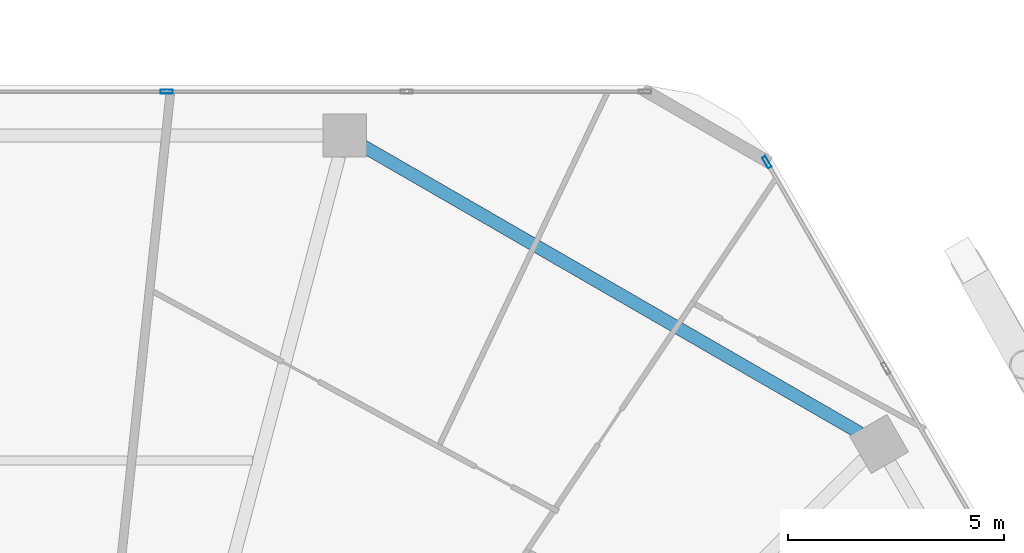
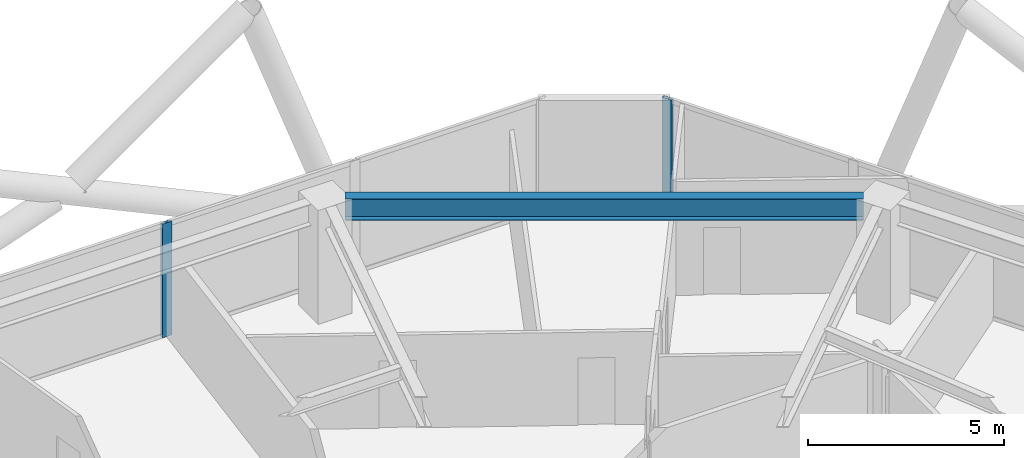
# One storey, part 18 of 30: 2 members, 1 beam, 2 elements without a shape of their own.
"""IFC4 building model written with IfcOpenShell, lengths in metres."""

from ifc_helpers import new_model, si_unit, direction, frame, origin, origin_2d, place, context, subcontext, project, spatial, hollow_rectangle, i_section, extrude, material, material_profile, profile_set, type_object, element, aggregate, save


model = new_model("IFC4")

# Units and contexts
model_context = context("Model", 3, precision=1e-05, world=origin(), true_north=direction((0.0, 1.0)))
body_context = subcontext(model_context, "Body", "Model", "MODEL_VIEW")
ifc_project = project(units=[si_unit("LENGTHUNIT", "METRE"), si_unit("AREAUNIT", "SQUARE_METRE"), si_unit("VOLUMEUNIT", "CUBIC_METRE"), si_unit("PLANEANGLEUNIT", "RADIAN"), si_unit("MASSUNIT", "GRAM", prefix="KILO")], contexts=[model_context])

# Site, building, storey
site_placement = place(None, origin())
site = spatial("IfcSite", under=ifc_project, at=site_placement, CompositionType="ELEMENT")
building_placement = place(site_placement, origin())
building = spatial("IfcBuilding", under=site, at=building_placement, Name="Zuhravey Tower", CompositionType="ELEMENT")
storey_placement = place(building_placement, frame((0.0, 0.0, 177.0)))
storey = spatial("IfcBuildingStorey", under=building, at=storey_placement, Name="L44", CompositionType="ELEMENT", Elevation=177.0)

# Curtain wall, member
ifc_material_1 = material(Name="Thermally broken anodised aluminium", Category="aluminium")
curtain_wall_type = type_object("IfcCurtainWallType", Name="Zone 1-2 Residential Curtain Wall CW3", PredefinedType="NOTDEFINED", material=ifc_material_1)
curtain_wall_1_placement = place(storey_placement, origin())
curtain_wall_1 = element("IfcCurtainWall", 1, at=curtain_wall_1_placement, inside=storey, type_object=curtain_wall_type, Name="L44 CW3 CW-L44-F2-1", PredefinedType="NOTDEFINED")
ifc_material_2 = material(Name="Anodised aluminium", Category="aluminium")
ifc_material_profile_1 = material_profile(ifc_material_2, hollow_rectangle(XDim=0.090087890625, YDim=0.284912109375, WallThickness=0.0048828125, at=origin_2d()), Name="ALU-RHS-90x285x5")
ifc_profile_set_1 = profile_set([ifc_material_profile_1], Name="Anodised aluminium")
member_type = type_object("IfcMemberType", Name="Curtain-Wall Mullion 90x180", PredefinedType="MULLION", material=ifc_profile_set_1)
member_1_placement = place(storey_placement, frame((38.772216796875, 59.18310546875, 0.0), z_axis=(0.0, 0.0, 1.0), x_axis=(0.0, 1.0, 0.0)))
member_1 = element("IfcMember", 2, at=member_1_placement, type_object=member_type, Name="CW3 mullion 4", PredefinedType="MULLION", context=body_context, shape_type="SweptSolid", body=[
    extrude(hollow_rectangle(XDim=0.090087890625, YDim=0.284912109375, WallThickness=0.0048828125, at=origin_2d()), origin(), (0.0, 0.0, 1.0), 3.550048828125),
])
aggregate(curtain_wall_1, [member_1])

curtain_wall_2_placement = place(storey_placement, origin())
curtain_wall_2 = element("IfcCurtainWall", 3, at=curtain_wall_2_placement, inside=storey, type_object=curtain_wall_type, Name="L44 CW3 CW-L44-F1-1", PredefinedType="NOTDEFINED")
member_2_placement = place(storey_placement, frame((52.63330078125, 57.556640625, 0.0), z_axis=(0.0, 0.0, 1.0), x_axis=(0.866025138215, 0.500000459979, 0.0)))
member_2 = element("IfcMember", 4, at=member_2_placement, type_object=member_type, Name="CW3 mullion 1", PredefinedType="MULLION", context=body_context, shape_type="SweptSolid", body=[
    extrude(hollow_rectangle(XDim=0.090087890625, YDim=0.284912109375, WallThickness=0.0048828125, at=origin_2d()), origin(), (0.0, 0.0, 1.0), 3.550048828125),
])
aggregate(curtain_wall_2, [member_2])

# Beam
ifc_material_3 = material(Name="Steel SM355", Category="steel")
ifc_material_profile_2 = material_profile(ifc_material_3, i_section(OverallWidth=0.300048828125, OverallDepth=0.679931640625, WebThickness=0.012939453125, FlangeThickness=0.02197265625, at=origin_2d()), Name="H-680x300x13x22")
ifc_profile_set_2 = profile_set([ifc_material_profile_2], Name="Steel SM355")
beam_type = type_object("IfcBeamType", Name="Perimeter Ring Beam H680x300", PredefinedType="BEAM", material=ifc_profile_set_2)
beam_placement = place(storey_placement, frame((54.789794921875, 51.298095703125, 3.2099609375), z_axis=(-0.866022923061, 0.500004296715, 0.0), x_axis=(-0.500004296715, -0.866022923061, 0.0)))
element("IfcBeam", 5, at=beam_placement, inside=storey, type_object=beam_type, Name="L44 PB2 BM-L44-PB-02", PredefinedType="BEAM", context=body_context, shape_type="SweptSolid", body=[
    extrude(i_section(OverallWidth=0.300048828125, OverallDepth=0.679931640625, WebThickness=0.012939453125, FlangeThickness=0.02197265625, at=origin_2d()), origin(), (0.0, 0.0, 1.0), 13.2470703125),
])

save(model, "model.ifc")
